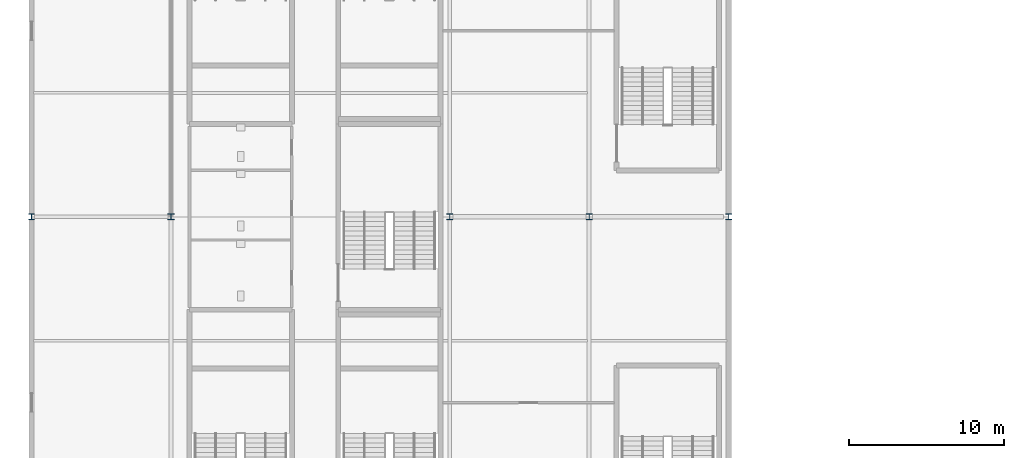
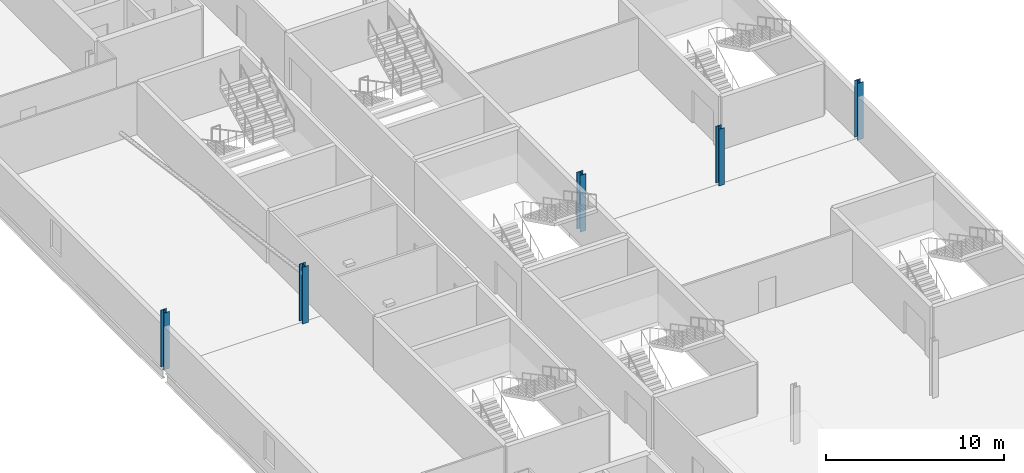
# One storey, part 3 of 105: 5 columns.
"""IFC4 building model written with IfcOpenShell, lengths in metres."""

from ifc_helpers import new_model, si_unit, direction, frame, origin, origin_2d, place, context, subcontext, project, spatial, i_section, extrude, material, material_profile, profile_set, type_object, element, save


model = new_model("IFC4")

# Units and contexts
model_context = context("Model", 3, precision=1e-05, world=origin(), true_north=direction((0.0, 1.0)))
body_context = subcontext(model_context, "Body", "Model", "MODEL_VIEW")
ifc_project = project(units=[si_unit("LENGTHUNIT", "METRE"), si_unit("AREAUNIT", "SQUARE_METRE"), si_unit("VOLUMEUNIT", "CUBIC_METRE"), si_unit("PLANEANGLEUNIT", "RADIAN"), si_unit("MASSUNIT", "GRAM", prefix="KILO")], contexts=[model_context])

# Site, building, storey
site_placement = place(None, origin())
site = spatial("IfcSite", under=ifc_project, at=site_placement, CompositionType="ELEMENT")
building_placement = place(site_placement, origin())
building = spatial("IfcBuilding", under=site, at=building_placement, Name="Kisiwana Market Hall", CompositionType="ELEMENT")
storey_placement = place(building_placement, frame((0.0, 0.0, 21.60009765625)))
storey = spatial("IfcBuildingStorey", under=building, at=storey_placement, Name="L04", CompositionType="ELEMENT", Elevation=21.60009765625)

# Columns
ifc_material_1 = material(Name="Steel S355", Category="steel")
ifc_material_profile_1 = material_profile(ifc_material_1, i_section(OverallWidth=0.37255859375, OverallDepth=0.3681640625, WebThickness=0.014404296875, FlangeThickness=0.023681640625, FilletRadius=0.01513671875, at=origin_2d()), Name="UC 356x368x177")
ifc_profile_set_1 = profile_set([ifc_material_profile_1], Name="Steel S355")
column_type_1 = type_object("IfcColumnType", Name="COL-STL-UC177", PredefinedType="COLUMN", material=ifc_profile_set_1)
for number, where, z_axis, x_axis, name in (
    (1, (0.0, 60.0, 0.0), (0.0, 0.0, 1.0), (1.0, 0.0, 0.0), "Column H/1 (L04) C-0791"),
    (2, (45.0, 60.0, 0.0), (0.0, 0.0, 1.0), (1.0, 0.0, 0.0), "Column H/6 (L04) C-0818"),
    (3, (36.0, 60.0, 0.0), (0.0, 0.0, 1.0), (1.0, 0.0, 0.0), "Column H/5 (L04) C-0785"),
):
    element("IfcColumn", number, at=place(storey_placement, frame(where, z_axis=z_axis, x_axis=x_axis)), inside=storey, type_object=column_type_1, Name=name, PredefinedType="COLUMN", context=body_context, shape_type="SweptSolid", body=[
        extrude(i_section(OverallWidth=0.37255859375, OverallDepth=0.3681640625, WebThickness=0.014404296875, FlangeThickness=0.023681640625, FilletRadius=0.01513671875, at=origin_2d()), origin(), (0.0, 0.0, 1.0), 3.89990234375),
    ])
ifc_material_2 = material(Name="Steel S355", Category="steel")
ifc_material_profile_2 = material_profile(ifc_material_2, i_section(OverallWidth=0.394775390625, OverallDepth=0.381103515625, WebThickness=0.018310546875, FlangeThickness=0.0302734375, at=origin_2d()), Name="UC 356x406x235")
ifc_profile_set_2 = profile_set([ifc_material_profile_2], Name="Steel S355")
column_type_2 = type_object("IfcColumnType", Name="COL-STL-UC235", PredefinedType="COLUMN", material=ifc_profile_set_2)
for number, where, z_axis, x_axis, name in (
    (4, (27.0, 60.0, 0.0), (0.0, 0.0, 1.0), (1.0, 0.0, 0.0), "Column H/4 (L04) C-0804"),
    (5, (9.0, 60.0, 0.0), (0.0, 0.0, 1.0), (1.0, 0.0, 0.0), "Column H/2 (L04) C-0784"),
):
    element("IfcColumn", number, at=place(storey_placement, frame(where, z_axis=z_axis, x_axis=x_axis)), inside=storey, type_object=column_type_2, Name=name, PredefinedType="COLUMN", context=body_context, shape_type="SweptSolid", body=[
        extrude(i_section(OverallWidth=0.394775390625, OverallDepth=0.381103515625, WebThickness=0.018310546875, FlangeThickness=0.0302734375, at=origin_2d()), origin(), (0.0, 0.0, 1.0), 3.89990234375),
    ])

save(model, "model.ifc")
